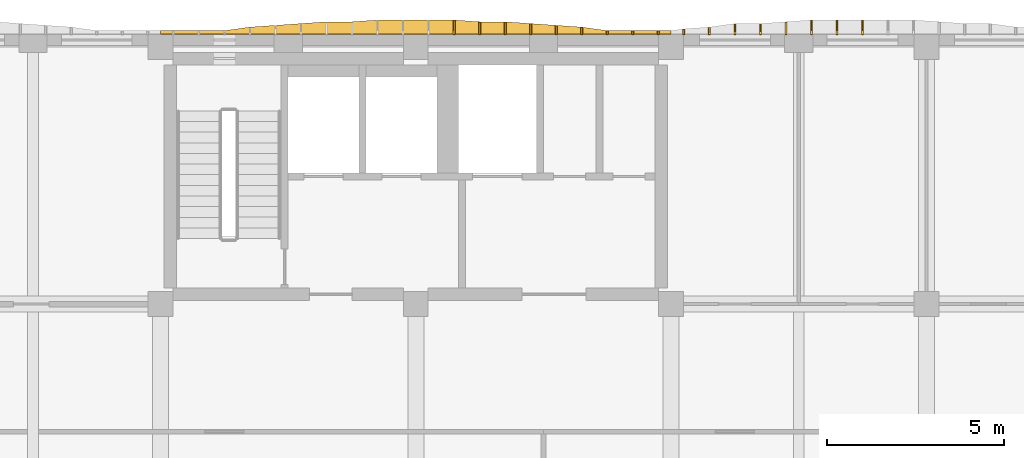
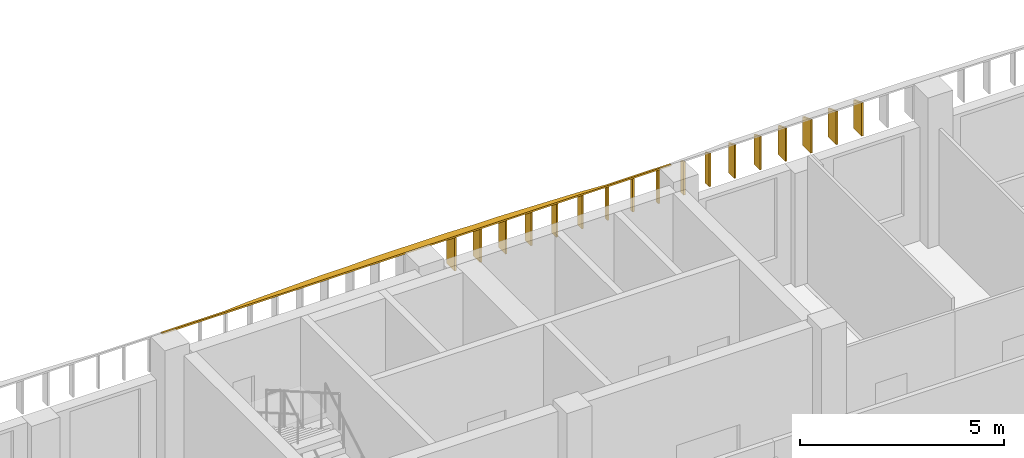
# One storey, part 51 of 59: 18 shading devices.
"""IFC4 building model written with IfcOpenShell, lengths in metres."""

import ifcopenshell
import ifcopenshell.guid

model = None  # the IFC model being written
_history = None  # IfcOwnerHistory: only IFC2X3 demands one
_inside = {}  # id of a spatial element -> (the spatial element, [elements in it])
_under = {}  # id of a project, library or spatial element -> (it, [spatial elements below it])
_declared = {}  # id of a project -> (the project, [libraries it declares])
_typed = {}  # id of a type object -> (the type object, [elements of that type])
_made_of = {}  # id of a material, layer set ... -> (it, [elements and type objects made of it])


def new_model(schema):
    """Start an empty IFC model of exactly this schema.

    Asked for "IFC4X3", IfcOpenShell would pick the latest addendum, in which some entities
    have other attributes; the version numbers below select the first issue.
    IFC2X3 requires an IfcOwnerHistory on every rooted entity: one is made here for all.
    """
    global model, _history
    if schema == "IFC4X3":
        model = ifcopenshell.file(schema_version=(4, 3, 0, 0))
    else:
        model = ifcopenshell.file(schema=schema)
    _inside.clear()
    _under.clear()
    _declared.clear()
    _typed.clear()
    _made_of.clear()
    _history = None
    if model.schema == "IFC2X3":
        org = make("IfcOrganization", Name="unknown")
        user = make(
            "IfcPersonAndOrganization",
            ThePerson=make("IfcPerson", FamilyName="unknown"),
            TheOrganization=org,
        )
        app = make(
            "IfcApplication",
            ApplicationDeveloper=org,
            Version="unknown",
            ApplicationFullName="unknown",
            ApplicationIdentifier="unknown",
        )
        _history = make(
            "IfcOwnerHistory",
            OwningUser=user,
            OwningApplication=app,
            ChangeAction="ADDED",
            CreationDate=0,
        )
    return model


def make(cls, **values):
    """One entity of the class cls with the attributes given. An attribute that is None is left unset."""
    return model.create_entity(
        cls, **{name: value for name, value in values.items() if value is not None}
    )


def rooted(cls, **values):
    """An entity with a GlobalId (a new one), such as an element, a storey or a relation."""
    return make(cls, GlobalId=ifcopenshell.guid.new(), OwnerHistory=_history, **values)


def si_unit(unit_type, name, prefix=None):
    """IfcSIUnit, for example si_unit("LENGTHUNIT", "METRE", prefix="MILLI")."""
    return make("IfcSIUnit", UnitType=unit_type, Prefix=prefix, Name=name)


def assignment(units):
    """IfcUnitAssignment: the units of a project."""
    return None if units is None else make("IfcUnitAssignment", Units=units)


def point(xyz):
    """IfcCartesianPoint."""
    return None if xyz is None else make("IfcCartesianPoint", Coordinates=xyz)


def direction(xyz):
    """IfcDirection."""
    return None if xyz is None else make("IfcDirection", DirectionRatios=xyz)


def frame(location, z_axis=None, x_axis=None):
    """IfcAxis2Placement3D, a coordinate frame: its origin and axes. An axis left out is left unset."""
    return make(
        "IfcAxis2Placement3D",
        Location=point(location),
        Axis=direction(z_axis),
        RefDirection=direction(x_axis),
    )


def origin():
    """The frame at (0, 0, 0) with its axes left unset."""
    return frame((0.0, 0.0, 0.0))


def place(relative_to, where):
    """IfcLocalPlacement: puts the frame where relative to a parent placement (None: the world)."""
    return make(
        "IfcLocalPlacement", PlacementRelTo=relative_to, RelativePlacement=where
    )


def context(
    kind, dimensions, precision=None, world=None, true_north=None, identifier=None
):
    """IfcGeometricRepresentationContext, for example the 3D "Model" context."""
    return make(
        "IfcGeometricRepresentationContext",
        ContextIdentifier=identifier,
        ContextType=kind,
        CoordinateSpaceDimension=dimensions,
        Precision=precision,
        WorldCoordinateSystem=world,
        TrueNorth=true_north,
    )


def subcontext(parent, identifier, kind, view, scale=None):
    """IfcGeometricRepresentationSubContext, for example "Body" below "Model"."""
    return make(
        "IfcGeometricRepresentationSubContext",
        ContextIdentifier=identifier,
        ContextType=kind,
        ParentContext=parent,
        TargetScale=scale,
        TargetView=view,
    )


def project(units=None, contexts=None):
    """IfcProject with its units and contexts."""
    return rooted(
        "IfcProject",
        Name="project",
        RepresentationContexts=contexts,
        UnitsInContext=assignment(units),
    )


def spatial(cls, under=None, at=None, **own):
    """A site, building, storey or space (cls), placed at a placement, below another one or the project."""
    s = rooted(cls, ObjectPlacement=at, **own)
    if under is not None:
        _under.setdefault(under.id(), (under, []))[1].append(s)
    return s


def polyline(points):
    """IfcPolyline through the points."""
    return make("IfcPolyline", Points=[point(p) for p in points])


def outline(outer, holes=None, kind="AREA"):
    """IfcArbitraryClosedProfileDef: a profile drawn as a closed curve; with holes, ...WithVoids."""
    if holes is None:
        return make("IfcArbitraryClosedProfileDef", ProfileType=kind, OuterCurve=outer)
    return make(
        "IfcArbitraryProfileDefWithVoids",
        ProfileType=kind,
        OuterCurve=outer,
        InnerCurves=holes,
    )


def extrude(swept, where, along, depth):
    """IfcExtrudedAreaSolid: the profile swept, set in the frame where, extruded along a direction by depth."""
    return make(
        "IfcExtrudedAreaSolid",
        SweptArea=swept,
        Position=where,
        ExtrudedDirection=direction(along),
        Depth=depth,
    )


def shape(context_of_items, identifier, shape_type, items):
    """IfcShapeRepresentation: the items that make up one representation, for example the "Body"."""
    return make(
        "IfcShapeRepresentation",
        ContextOfItems=context_of_items,
        RepresentationIdentifier=identifier,
        RepresentationType=shape_type,
        Items=items,
    )


def material(Name=None, Category=None):
    """IfcMaterial."""
    return make("IfcMaterial", Name=Name, Category=Category)


def layer(
    of_material, thickness, ventilated=None, Name=None, Category=None, Priority=None
):
    """IfcMaterialLayer: one layer of a wall or slab, of a material (None: an air gap)."""
    return make(
        "IfcMaterialLayer",
        Material=of_material,
        LayerThickness=thickness,
        IsVentilated=ventilated,
        Name=Name,
        Category=Category,
        Priority=Priority,
    )


def layer_set(layers, Name=None):
    """IfcMaterialLayerSet."""
    return make("IfcMaterialLayerSet", MaterialLayers=layers, LayerSetName=Name)


def made_of(thing, what):
    """Note that an element or type object is made of a material, layer set ...; save() writes the relation."""
    if what is not None:
        _made_of.setdefault(what.id(), (what, []))[1].append(thing)
    return thing


def type_object(cls, material=None, **own):
    """A type object (cls), such as IfcWallType, which elements share."""
    return made_of(rooted(cls, **own), material)


def element(
    cls,
    number,
    at=None,
    inside=None,
    cuts=None,
    type_object=None,
    material=None,
    context=None,
    identifier="Body",
    shape_type=None,
    held_by="IfcProductDefinitionShape",
    body=None,
    shapes=None,
    **own,
):
    """One element of the class cls, such as IfcWall. Its Tag is "e" and its number.

    at: its placement. inside: the storey or other place that contains it. cuts: it is an
    opening in that element (IfcRelVoidsElement). A single representation is given by context,
    identifier, shape_type and body (its items); several are given by shapes. held_by: the class
    of the entity that holds the representations. save() writes the other relations.
    """
    e = rooted(cls, Tag="e%d" % number, ObjectPlacement=at, **own)
    if body is not None:
        shapes = [shape(context, identifier, shape_type, body)]
    if shapes is not None:
        e.Representation = make(held_by, Representations=shapes)
    if inside is not None:
        _inside.setdefault(inside.id(), (inside, []))[1].append(e)
    if cuts is not None:
        rooted(
            "IfcRelVoidsElement", RelatingBuildingElement=cuts, RelatedOpeningElement=e
        )
    if type_object is not None:
        _typed.setdefault(type_object.id(), (type_object, []))[1].append(e)
    return made_of(e, material)


def aggregate(whole, parts):
    """IfcRelAggregates: a whole, such as a stair, and the parts it consists of."""
    return rooted("IfcRelAggregates", RelatingObject=whole, RelatedObjects=parts)


def save(model, path):
    """Write the relations noted so far, then the file.

    IfcRelAggregates (storeys below a building ...), IfcRelContainedInSpatialStructure (elements
    in a storey), IfcRelDefinesByType, IfcRelAssociatesMaterial and IfcRelDeclares: one each for
    every whole, place, type object, material and project.
    """
    for whole, parts in _under.values():
        aggregate(whole, parts)
    for where, things in _inside.values():
        rooted(
            "IfcRelContainedInSpatialStructure",
            RelatedElements=things,
            RelatingStructure=where,
        )
    for kind, things in _typed.values():
        rooted("IfcRelDefinesByType", RelatedObjects=things, RelatingType=kind)
    for what, things in _made_of.values():
        rooted("IfcRelAssociatesMaterial", RelatedObjects=things, RelatingMaterial=what)
    for by, libraries in _declared.values():
        rooted("IfcRelDeclares", RelatingContext=by, RelatedDefinitions=libraries)
    model.write(path)


model = new_model("IFC4")

# Units and contexts
model_context = context("Model", 3, precision=1e-05, world=origin(), true_north=direction((0.0, 1.0)))
body_context = subcontext(model_context, "Body", "Model", "MODEL_VIEW")
ifc_project = project(units=[si_unit("LENGTHUNIT", "METRE"), si_unit("AREAUNIT", "SQUARE_METRE"), si_unit("VOLUMEUNIT", "CUBIC_METRE"), si_unit("PLANEANGLEUNIT", "RADIAN"), si_unit("MASSUNIT", "GRAM", prefix="KILO")], contexts=[model_context])

# Site, building, storey
site_placement = place(None, origin())
site = spatial("IfcSite", under=ifc_project, at=site_placement, CompositionType="ELEMENT")
building_placement = place(site_placement, origin())
building = spatial("IfcBuilding", under=site, at=building_placement, Name="Ussher Court Research Institute", CompositionType="ELEMENT")
storey_placement = place(building_placement, frame((0.0, 0.0, 5.39990234375)))
storey = spatial("IfcBuildingStorey", under=building, at=storey_placement, Name="L01", CompositionType="ELEMENT", Elevation=5.39990234375)

# Shading devices
ifc_material_1 = material(Name="Bronze anodised aluminium", Category="aluminium")
ifc_layer_1 = layer(ifc_material_1, 0.050048828125)
ifc_layer_set_1 = layer_set([ifc_layer_1], Name="Bronze anodised aluminium")
shading_device_type_1 = type_object("IfcShadingDeviceType", Name="Brim blade 100 mm deep 1000 mm high canted 20 deg dry", PredefinedType="USERDEFINED", material=ifc_layer_set_1)
for number, where, z_axis, x_axis, name in (
    (1, (58.800048828125, 90.800048828125, 3.4501953125), (0.0, 0.0, 1.0), (0.0, 1.0, 0.0), "Brim blade BS17 L01"),
    (2, (59.52001953125, 90.800048828125, 3.4501953125), (0.0, 0.0, 1.0), (0.0, 1.0, 0.0), "Brim blade BS17 L01"),
    (3, (60.239990234375, 90.800048828125, 3.4501953125), (0.0, 0.0, 1.0), (0.0, 1.0, 0.0), "Brim blade BS17 L01"),
):
    element("IfcShadingDevice", number, at=place(storey_placement, frame(where, z_axis=z_axis, x_axis=x_axis)), inside=storey, type_object=shading_device_type_1, Name=name, ObjectType="BLADE", PredefinedType="USERDEFINED", context=body_context, shape_type="SweptSolid", body=[
        extrude(outline(polyline([(0.0, 0.0), (0.099853515625, 0.0), (0.10009765625, 0.963623046875), (0.0, 1.0), (0.0, 0.0)])), frame((0.0, 0.02490234375, 0.0), z_axis=(0.0, -1.0, 0.0), x_axis=(1.0, 0.0, 0.0)), (0.0, 0.0, 1.0), 0.050048828125),
    ])
ifc_material_2 = material(Name="Bronze anodised aluminium", Category="aluminium")
ifc_layer_2 = layer(ifc_material_2, 0.050048828125)
ifc_layer_set_2 = layer_set([ifc_layer_2], Name="Bronze anodised aluminium")
shading_device_type_2 = type_object("IfcShadingDeviceType", Name="Brim blade 150 mm deep 1000 mm high canted 20 deg dry", PredefinedType="USERDEFINED", material=ifc_layer_set_2)
shading_device_1_placement = place(storey_placement, frame((60.9599609375, 90.800048828125, 3.4501953125), z_axis=(0.0, 0.0, 1.0), x_axis=(0.0, 1.0, 0.0)))
element("IfcShadingDevice", 4, at=shading_device_1_placement, inside=storey, type_object=shading_device_type_2, Name="Brim blade BS16 L01", ObjectType="BLADE", PredefinedType="USERDEFINED", context=body_context, shape_type="SweptSolid", body=[
    extrude(outline(polyline([(0.0, 0.0), (0.14990234375, 0.0), (0.14990234375, 0.9453125), (0.0, 1.0), (0.0, 0.0)])), frame((0.0, 0.02490234375, 0.0), z_axis=(0.0, -1.0, 0.0), x_axis=(1.0, 0.0, 0.0)), (0.0, 0.0, 1.0), 0.050048828125),
])
ifc_material_3 = material(Name="Bronze anodised aluminium", Category="aluminium")
ifc_layer_3 = layer(ifc_material_3, 0.050048828125)
ifc_layer_set_3 = layer_set([ifc_layer_3], Name="Bronze anodised aluminium")
shading_device_type_3 = type_object("IfcShadingDeviceType", Name="Brim blade 200 mm deep 1000 mm high canted 20 deg dry", PredefinedType="USERDEFINED", material=ifc_layer_set_3)
for number, where, z_axis, x_axis, name in (
    (5, (58.080078125, 90.800048828125, 3.4501953125), (0.0, 0.0, 1.0), (0.0, 1.0, 0.0), "Brim blade BS15 L01"),
    (6, (61.679931640625, 90.800048828125, 3.4501953125), (0.0, 0.0, 1.0), (0.0, 1.0, 0.0), "Brim blade BS15 L01"),
):
    element("IfcShadingDevice", number, at=place(storey_placement, frame(where, z_axis=z_axis, x_axis=x_axis)), inside=storey, type_object=shading_device_type_3, Name=name, ObjectType="BLADE", PredefinedType="USERDEFINED", context=body_context, shape_type="SweptSolid", body=[
        extrude(outline(polyline([(0.0, 0.0), (0.199951171875, 0.0), (0.199951171875, 0.927001953125), (0.0, 1.0), (0.0, 0.0)])), frame((0.0, 0.02490234375, 0.0), z_axis=(0.0, -1.0, 0.0), x_axis=(1.0, 0.0, 0.0)), (0.0, 0.0, 1.0), 0.050048828125),
    ])
ifc_material_4 = material(Name="Bronze anodised aluminium", Category="aluminium")
ifc_layer_4 = layer(ifc_material_4, 0.050048828125)
ifc_layer_set_4 = layer_set([ifc_layer_4], Name="Bronze anodised aluminium")
shading_device_type_4 = type_object("IfcShadingDeviceType", Name="Brim blade 250 mm deep 1000 mm high canted 20 deg dry", PredefinedType="USERDEFINED", material=ifc_layer_set_4)
shading_device_2_placement = place(storey_placement, frame((57.360107421875, 90.800048828125, 3.4501953125), z_axis=(0.0, 0.0, 1.0), x_axis=(0.0, 1.0, 0.0)))
element("IfcShadingDevice", 7, at=shading_device_2_placement, inside=storey, type_object=shading_device_type_4, Name="Brim blade BS14 L01", ObjectType="BLADE", PredefinedType="USERDEFINED", context=body_context, shape_type="SweptSolid", body=[
    extrude(outline(polyline([(0.0, 0.0), (0.25, 0.0), (0.25, 0.908935546875), (0.0, 1.0), (0.0, 0.0)])), frame((0.0, 0.02490234375, 0.0), z_axis=(0.0, -1.0, 0.0), x_axis=(1.0, 0.0, 0.0)), (0.0, 0.0, 1.0), 0.050048828125),
])
ifc_material_5 = material(Name="Bronze anodised aluminium", Category="aluminium")
ifc_layer_5 = layer(ifc_material_5, 0.050048828125)
ifc_layer_set_5 = layer_set([ifc_layer_5], Name="Bronze anodised aluminium")
shading_device_type_5 = type_object("IfcShadingDeviceType", Name="Brim blade 300 mm deep 1000 mm high canted 20 deg dry", PredefinedType="USERDEFINED", material=ifc_layer_set_5)
for number, where, z_axis, x_axis, name in (
    (8, (56.639892578125, 90.800048828125, 3.4501953125), (0.0, 0.0, 1.0), (0.0, 1.0, 0.0), "Brim blade BS13 L01"),
    (9, (62.39990234375, 90.800048828125, 3.4501953125), (0.0, 0.0, 1.0), (0.0, 1.0, 0.0), "Brim blade BS13 L01"),
    (10, (63.1201171875, 90.800048828125, 3.4501953125), (0.0, 0.0, 1.0), (0.0, 1.0, 0.0), "Brim blade BS13 L01"),
):
    element("IfcShadingDevice", number, at=place(storey_placement, frame(where, z_axis=z_axis, x_axis=x_axis)), inside=storey, type_object=shading_device_type_5, Name=name, ObjectType="BLADE", PredefinedType="USERDEFINED", context=body_context, shape_type="SweptSolid", body=[
        extrude(outline(polyline([(0.0, 0.0), (0.300048828125, 0.0), (0.300048828125, 0.890625), (0.0, 1.0), (0.0, 0.0)])), frame((0.0, 0.02490234375, 0.0), z_axis=(0.0, -1.0, 0.0), x_axis=(1.0, 0.0, 0.0)), (0.0, 0.0, 1.0), 0.050048828125),
    ])
ifc_material_6 = material(Name="Bronze anodised aluminium", Category="aluminium")
ifc_layer_6 = layer(ifc_material_6, 0.050048828125)
ifc_layer_set_6 = layer_set([ifc_layer_6], Name="Bronze anodised aluminium")
shading_device_type_6 = type_object("IfcShadingDeviceType", Name="Brim blade 350 mm deep 1000 mm high canted 20 deg dry", PredefinedType="USERDEFINED", material=ifc_layer_set_6)
for number, where, z_axis, x_axis, name in (
    (11, (55.199951171875, 90.800048828125, 3.4501953125), (0.0, 0.0, 1.0), (0.0, 1.0, 0.0), "Brim blade BS12 L01"),
    (12, (55.919921875, 90.800048828125, 3.4501953125), (0.0, 0.0, 1.0), (0.0, 1.0, 0.0), "Brim blade BS12 L01"),
    (13, (63.840087890625, 90.800048828125, 3.4501953125), (0.0, 0.0, 1.0), (0.0, 1.0, 0.0), "Brim blade BS12 L01"),
):
    element("IfcShadingDevice", number, at=place(storey_placement, frame(where, z_axis=z_axis, x_axis=x_axis)), inside=storey, type_object=shading_device_type_6, Name=name, ObjectType="BLADE", PredefinedType="USERDEFINED", context=body_context, shape_type="SweptSolid", body=[
        extrude(outline(polyline([(0.0, 0.0), (0.349853515625, 0.0), (0.35009765625, 0.87255859375), (0.0, 1.0), (0.0, 0.0)])), frame((0.0, 0.02490234375, 0.0), z_axis=(0.0, -1.0, 0.0), x_axis=(1.0, 0.0, 0.0)), (0.0, 0.0, 1.0), 0.050048828125),
    ])
ifc_material_7 = material(Name="Bronze anodised aluminium", Category="aluminium")
ifc_layer_7 = layer(ifc_material_7, 0.050048828125)
ifc_layer_set_7 = layer_set([ifc_layer_7], Name="Bronze anodised aluminium")
shading_device_type_7 = type_object("IfcShadingDeviceType", Name="Brim blade 400 mm deep 1000 mm high canted 20 deg dry", PredefinedType="USERDEFINED", material=ifc_layer_set_7)
for number, where, z_axis, x_axis, name in (
    (14, (54.47998046875, 90.800048828125, 3.4501953125), (0.0, 0.0, 1.0), (0.0, 1.0, 0.0), "Brim blade BS11 L01"),
    (15, (64.56005859375, 90.800048828125, 3.4501953125), (0.0, 0.0, 1.0), (0.0, 1.0, 0.0), "Brim blade BS11 L01"),
    (16, (65.280029296875, 90.800048828125, 3.4501953125), (0.0, 0.0, 1.0), (0.0, 1.0, 0.0), "Brim blade BS11 L01"),
    (17, (66.0, 90.800048828125, 3.4501953125), (0.0, 0.0, 1.0), (0.0, 1.0, 0.0), "Brim blade BS11 L01"),
):
    element("IfcShadingDevice", number, at=place(storey_placement, frame(where, z_axis=z_axis, x_axis=x_axis)), inside=storey, type_object=shading_device_type_7, Name=name, ObjectType="BLADE", PredefinedType="USERDEFINED", context=body_context, shape_type="SweptSolid", body=[
        extrude(outline(polyline([(0.0, 0.0), (0.39990234375, 0.0), (0.39990234375, 0.854248046875), (0.0, 1.0), (0.0, 0.0)])), frame((0.0, 0.02490234375, 0.0), z_axis=(0.0, -1.0, 0.0), x_axis=(1.0, 0.0, 0.0)), (0.0, 0.0, 1.0), 0.050048828125),
    ])
ifc_material_8 = material(Name="Bronze anodised aluminium", Category="aluminium")
ifc_layer_8 = layer(ifc_material_8, 0.0400390625)
ifc_layer_set_8 = layer_set([ifc_layer_8], Name="Bronze anodised aluminium")
shading_device_type_8 = type_object("IfcShadingDeviceType", Name="Brim visor sheet 40 mm canted 20 deg dry", PredefinedType="USERDEFINED", material=ifc_layer_set_8)
shading_device_3_placement = place(storey_placement, frame((46.199951171875, 90.813720703125, 4.48779296875), z_axis=(0.0, 0.342255779972, 0.9396068226), x_axis=(1.0, 0.0, 0.0)))
element("IfcShadingDevice", 18, at=shading_device_3_placement, inside=storey, type_object=shading_device_type_8, Name="Brim visor sheet BR2 L01", ObjectType="BRIM", PredefinedType="USERDEFINED", context=body_context, shape_type="SweptSolid", body=[
    extrude(outline(polyline([(0.0, 0.0), (14.400146484375, 0.0), (14.400146484375, 0.10650266320353347), (14.0400390625, 0.10650266320353347), (13.320068359375, 0.10650266320353347), (12.60009765625, 0.10650266320353347), (11.880126953125, 0.21285948875017546), (11.16015625, 0.2660690410819261), (10.43994140625, 0.319362151953709), (9.719970703125, 0.3725717042854596), (9.0, 0.3725717042854596), (8.280029296875, 0.4256354189603187), (7.56005859375, 0.4256354189603187), (6.840087890625, 0.4256354189603187), (6.1201171875, 0.4256354189603187), (5.400146484375, 0.3725717042854596), (4.679931640625, 0.3725717042854596), (3.9599609375, 0.319362151953709), (3.239990234375, 0.2660690410819261), (2.52001953125, 0.21285948875017546), (1.800048828125, 0.10650266320353347), (1.080078125, 0.10650266320353347), (0.360107421875, 0.10650266320353347), (0.0, 0.10650266320353347), (0.0, 0.0)])), origin(), (0.0, 0.0, -1.0), 0.0400390625),
])

save(model, "model.ifc")
